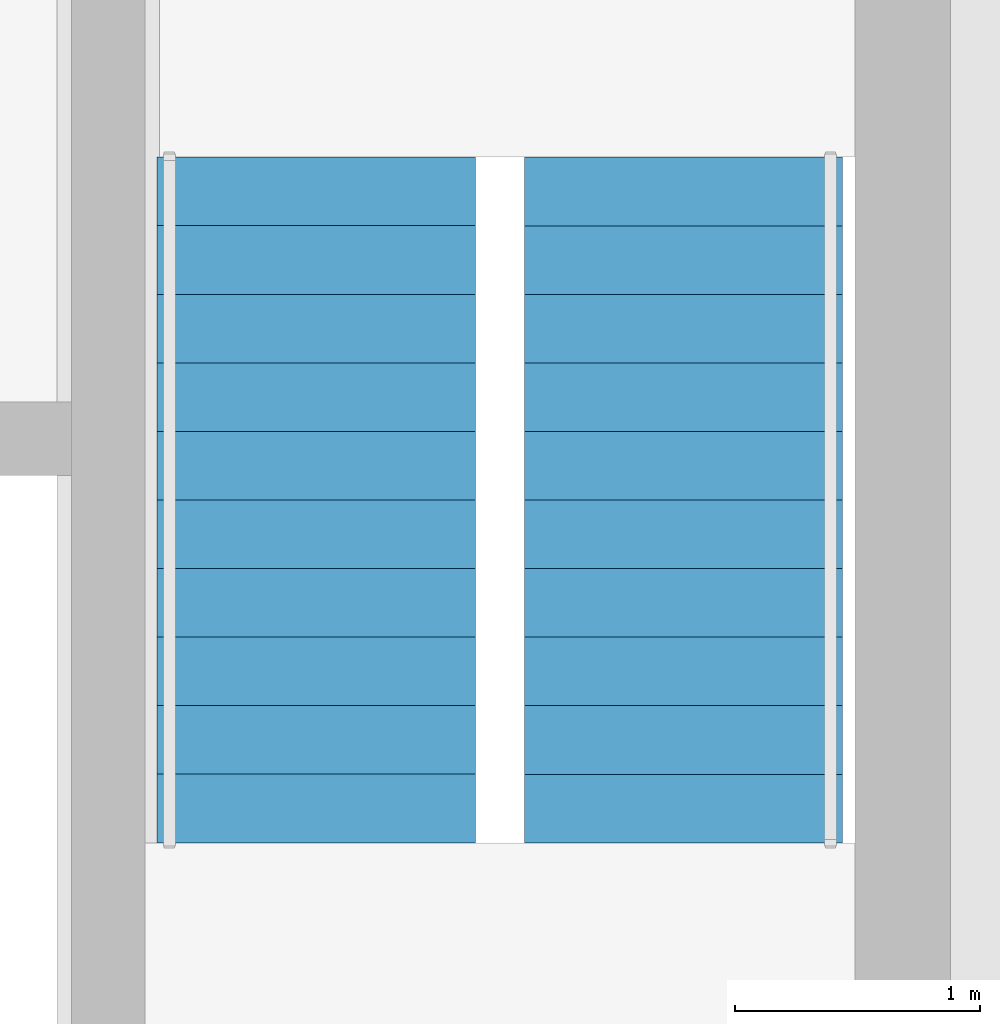
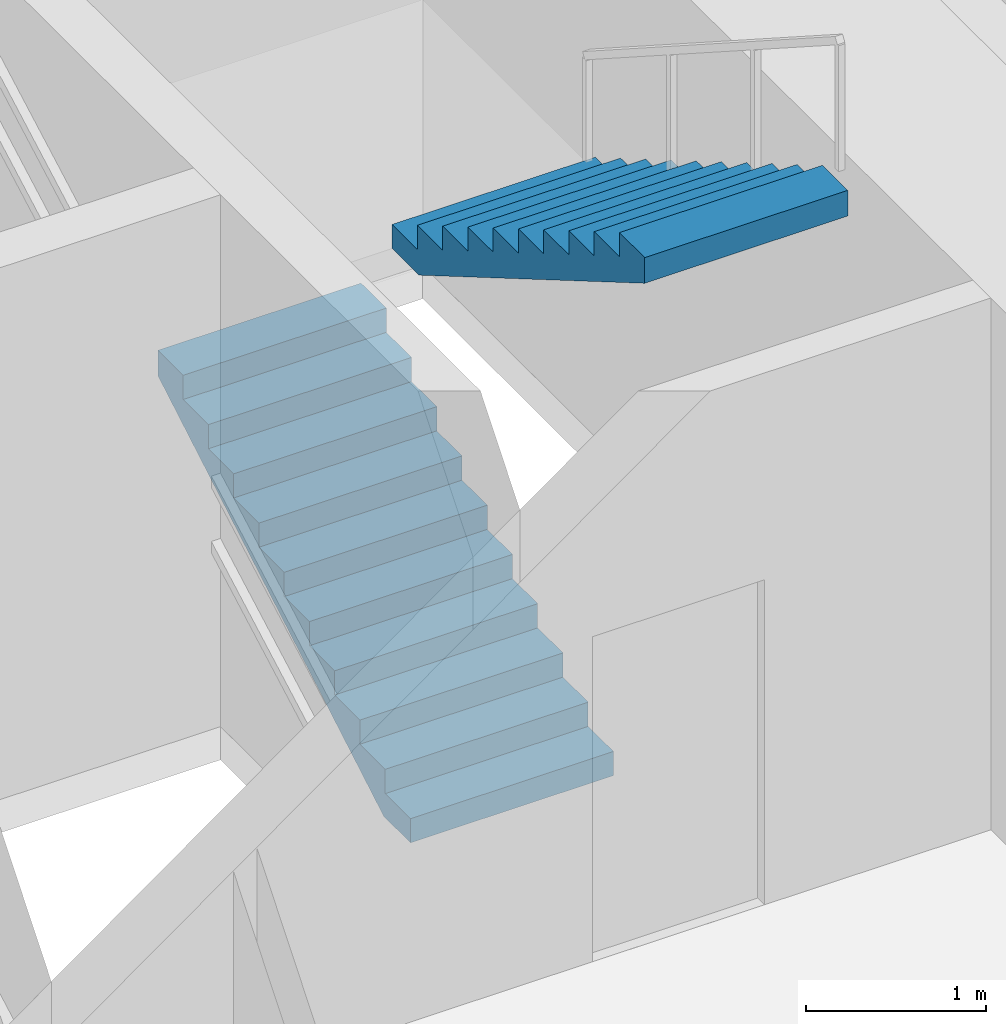
# One storey, part 12 of 13: 2 stair flights, 1 element without a shape of its own.
"""IFC4 building model written with IfcOpenShell, lengths in metres."""

import ifcopenshell
import ifcopenshell.guid

model = None  # the IFC model being written
_history = None  # IfcOwnerHistory: only IFC2X3 demands one
_inside = {}  # id of a spatial element -> (the spatial element, [elements in it])
_under = {}  # id of a project, library or spatial element -> (it, [spatial elements below it])
_declared = {}  # id of a project -> (the project, [libraries it declares])
_typed = {}  # id of a type object -> (the type object, [elements of that type])
_made_of = {}  # id of a material, layer set ... -> (it, [elements and type objects made of it])


def new_model(schema):
    """Start an empty IFC model of exactly this schema.

    Asked for "IFC4X3", IfcOpenShell would pick the latest addendum, in which some entities
    have other attributes; the version numbers below select the first issue.
    IFC2X3 requires an IfcOwnerHistory on every rooted entity: one is made here for all.
    """
    global model, _history
    if schema == "IFC4X3":
        model = ifcopenshell.file(schema_version=(4, 3, 0, 0))
    else:
        model = ifcopenshell.file(schema=schema)
    _inside.clear()
    _under.clear()
    _declared.clear()
    _typed.clear()
    _made_of.clear()
    _history = None
    if model.schema == "IFC2X3":
        org = make("IfcOrganization", Name="unknown")
        user = make(
            "IfcPersonAndOrganization",
            ThePerson=make("IfcPerson", FamilyName="unknown"),
            TheOrganization=org,
        )
        app = make(
            "IfcApplication",
            ApplicationDeveloper=org,
            Version="unknown",
            ApplicationFullName="unknown",
            ApplicationIdentifier="unknown",
        )
        _history = make(
            "IfcOwnerHistory",
            OwningUser=user,
            OwningApplication=app,
            ChangeAction="ADDED",
            CreationDate=0,
        )
    return model


def make(cls, **values):
    """One entity of the class cls with the attributes given. An attribute that is None is left unset."""
    return model.create_entity(
        cls, **{name: value for name, value in values.items() if value is not None}
    )


def rooted(cls, **values):
    """An entity with a GlobalId (a new one), such as an element, a storey or a relation."""
    return make(cls, GlobalId=ifcopenshell.guid.new(), OwnerHistory=_history, **values)


def si_unit(unit_type, name, prefix=None):
    """IfcSIUnit, for example si_unit("LENGTHUNIT", "METRE", prefix="MILLI")."""
    return make("IfcSIUnit", UnitType=unit_type, Prefix=prefix, Name=name)


def assignment(units):
    """IfcUnitAssignment: the units of a project."""
    return None if units is None else make("IfcUnitAssignment", Units=units)


def point(xyz):
    """IfcCartesianPoint."""
    return None if xyz is None else make("IfcCartesianPoint", Coordinates=xyz)


def direction(xyz):
    """IfcDirection."""
    return None if xyz is None else make("IfcDirection", DirectionRatios=xyz)


def frame(location, z_axis=None, x_axis=None):
    """IfcAxis2Placement3D, a coordinate frame: its origin and axes. An axis left out is left unset."""
    return make(
        "IfcAxis2Placement3D",
        Location=point(location),
        Axis=direction(z_axis),
        RefDirection=direction(x_axis),
    )


def origin():
    """The frame at (0, 0, 0) with its axes left unset."""
    return frame((0.0, 0.0, 0.0))


def place(relative_to, where):
    """IfcLocalPlacement: puts the frame where relative to a parent placement (None: the world)."""
    return make(
        "IfcLocalPlacement", PlacementRelTo=relative_to, RelativePlacement=where
    )


def context(
    kind, dimensions, precision=None, world=None, true_north=None, identifier=None
):
    """IfcGeometricRepresentationContext, for example the 3D "Model" context."""
    return make(
        "IfcGeometricRepresentationContext",
        ContextIdentifier=identifier,
        ContextType=kind,
        CoordinateSpaceDimension=dimensions,
        Precision=precision,
        WorldCoordinateSystem=world,
        TrueNorth=true_north,
    )


def subcontext(parent, identifier, kind, view, scale=None):
    """IfcGeometricRepresentationSubContext, for example "Body" below "Model"."""
    return make(
        "IfcGeometricRepresentationSubContext",
        ContextIdentifier=identifier,
        ContextType=kind,
        ParentContext=parent,
        TargetScale=scale,
        TargetView=view,
    )


def project(units=None, contexts=None):
    """IfcProject with its units and contexts."""
    return rooted(
        "IfcProject",
        Name="project",
        RepresentationContexts=contexts,
        UnitsInContext=assignment(units),
    )


def spatial(cls, under=None, at=None, **own):
    """A site, building, storey or space (cls), placed at a placement, below another one or the project."""
    s = rooted(cls, ObjectPlacement=at, **own)
    if under is not None:
        _under.setdefault(under.id(), (under, []))[1].append(s)
    return s


def polyline(points):
    """IfcPolyline through the points."""
    return make("IfcPolyline", Points=[point(p) for p in points])


def outline(outer, holes=None, kind="AREA"):
    """IfcArbitraryClosedProfileDef: a profile drawn as a closed curve; with holes, ...WithVoids."""
    if holes is None:
        return make("IfcArbitraryClosedProfileDef", ProfileType=kind, OuterCurve=outer)
    return make(
        "IfcArbitraryProfileDefWithVoids",
        ProfileType=kind,
        OuterCurve=outer,
        InnerCurves=holes,
    )


def extrude(swept, where, along, depth):
    """IfcExtrudedAreaSolid: the profile swept, set in the frame where, extruded along a direction by depth."""
    return make(
        "IfcExtrudedAreaSolid",
        SweptArea=swept,
        Position=where,
        ExtrudedDirection=direction(along),
        Depth=depth,
    )


def shape(context_of_items, identifier, shape_type, items):
    """IfcShapeRepresentation: the items that make up one representation, for example the "Body"."""
    return make(
        "IfcShapeRepresentation",
        ContextOfItems=context_of_items,
        RepresentationIdentifier=identifier,
        RepresentationType=shape_type,
        Items=items,
    )


def material(Name=None, Category=None):
    """IfcMaterial."""
    return make("IfcMaterial", Name=Name, Category=Category)


def made_of(thing, what):
    """Note that an element or type object is made of a material, layer set ...; save() writes the relation."""
    if what is not None:
        _made_of.setdefault(what.id(), (what, []))[1].append(thing)
    return thing


def type_object(cls, material=None, **own):
    """A type object (cls), such as IfcWallType, which elements share."""
    return made_of(rooted(cls, **own), material)


def element(
    cls,
    number,
    at=None,
    inside=None,
    cuts=None,
    type_object=None,
    material=None,
    context=None,
    identifier="Body",
    shape_type=None,
    held_by="IfcProductDefinitionShape",
    body=None,
    shapes=None,
    **own,
):
    """One element of the class cls, such as IfcWall. Its Tag is "e" and its number.

    at: its placement. inside: the storey or other place that contains it. cuts: it is an
    opening in that element (IfcRelVoidsElement). A single representation is given by context,
    identifier, shape_type and body (its items); several are given by shapes. held_by: the class
    of the entity that holds the representations. save() writes the other relations.
    """
    e = rooted(cls, Tag="e%d" % number, ObjectPlacement=at, **own)
    if body is not None:
        shapes = [shape(context, identifier, shape_type, body)]
    if shapes is not None:
        e.Representation = make(held_by, Representations=shapes)
    if inside is not None:
        _inside.setdefault(inside.id(), (inside, []))[1].append(e)
    if cuts is not None:
        rooted(
            "IfcRelVoidsElement", RelatingBuildingElement=cuts, RelatedOpeningElement=e
        )
    if type_object is not None:
        _typed.setdefault(type_object.id(), (type_object, []))[1].append(e)
    return made_of(e, material)


def aggregate(whole, parts):
    """IfcRelAggregates: a whole, such as a stair, and the parts it consists of."""
    return rooted("IfcRelAggregates", RelatingObject=whole, RelatedObjects=parts)


def save(model, path):
    """Write the relations noted so far, then the file.

    IfcRelAggregates (storeys below a building ...), IfcRelContainedInSpatialStructure (elements
    in a storey), IfcRelDefinesByType, IfcRelAssociatesMaterial and IfcRelDeclares: one each for
    every whole, place, type object, material and project.
    """
    for whole, parts in _under.values():
        aggregate(whole, parts)
    for where, things in _inside.values():
        rooted(
            "IfcRelContainedInSpatialStructure",
            RelatedElements=things,
            RelatingStructure=where,
        )
    for kind, things in _typed.values():
        rooted("IfcRelDefinesByType", RelatedObjects=things, RelatingType=kind)
    for what, things in _made_of.values():
        rooted("IfcRelAssociatesMaterial", RelatedObjects=things, RelatingMaterial=what)
    for by, libraries in _declared.values():
        rooted("IfcRelDeclares", RelatingContext=by, RelatedDefinitions=libraries)
    model.write(path)


model = new_model("IFC4")

# Units and contexts
model_context = context("Model", 3, precision=1e-05, world=origin(), true_north=direction((0.0, 1.0)))
body_context = subcontext(model_context, "Body", "Model", "MODEL_VIEW")
ifc_project = project(units=[si_unit("LENGTHUNIT", "METRE"), si_unit("AREAUNIT", "SQUARE_METRE"), si_unit("VOLUMEUNIT", "CUBIC_METRE"), si_unit("PLANEANGLEUNIT", "RADIAN"), si_unit("MASSUNIT", "GRAM", prefix="KILO")], contexts=[model_context])

# Site, building, storey
site_placement = place(None, origin())
site = spatial("IfcSite", under=ifc_project, at=site_placement, CompositionType="ELEMENT")
building_placement = place(site_placement, origin())
building = spatial("IfcBuilding", under=site, at=building_placement, Name="Nyansa Garden Tower", CompositionType="ELEMENT")
storey_placement = place(building_placement, frame((0.0, 0.0, 123.300048828125)))
storey = spatial("IfcBuildingStorey", under=building, at=storey_placement, Name="L33", CompositionType="ELEMENT", Elevation=123.300048828125)

# Stair, stair flights
ifc_material_1 = material(Name="Precast concrete C40/50", Category="concrete")
stair_type = type_object("IfcStairType", Name="Stair S2 164x280", PredefinedType="HALF_TURN_STAIR", material=ifc_material_1)
stair_placement = place(storey_placement, origin())
stair = element("IfcStair", 1, at=stair_placement, inside=storey, type_object=stair_type, Name="Stair S2 L33", PredefinedType="HALF_TURN_STAIR")
ifc_material_2 = material(Name="Precast concrete C40/50", Category="concrete")
stair_flight_type = type_object("IfcStairFlightType", Name="Stair flight S2 164x280x11", PredefinedType="STRAIGHT", material=ifc_material_2)
stair_flight_1_placement = place(storey_placement, frame((24.199951171875, 21.60009765625, 0.0), z_axis=(0.0, 0.0, 1.0), x_axis=(0.0, 1.0, 0.0)))
stair_flight_1 = element("IfcStairFlight", 2, at=stair_flight_1_placement, type_object=stair_flight_type, Name="S2 flight 1", NumberOfRisers=11, NumberOfTreads=10, PredefinedType="STRAIGHT", RiserHeight=0.163636364, TreadLength=0.28, context=body_context, shape_type="SweptSolid", body=[
    extrude(outline(polyline([(0.0, 0.0), (0.0, 0.16357421875), (0.280029296875, 0.16357421875), (0.280029296875, 0.327392578125), (0.56005859375, 0.327392578125), (0.56005859375, 0.490966796875), (0.840087890625, 0.490966796875), (0.840087890625, 0.654541015625), (1.1201171875, 0.654541015625), (1.1201171875, 0.818115234375), (1.39990234375, 0.818115234375), (1.39990234375, 0.98193359375), (1.679931640625, 0.98193359375), (1.679931640625, 1.1455078125), (1.9599609375, 1.1455078125), (1.9599609375, 1.30908203125), (2.239990234375, 1.30908203125), (2.239990234375, 1.47265625), (2.52001953125, 1.47265625), (2.52001953125, 1.636474609375), (2.800048828125, 1.636474609375), (2.800048828125, 1.800048828125), (2.800048828125, 1.462646484375), (0.297119140625, 0.0), (0.0, 0.0)])), frame((0.0, 0.64990234375, 0.0), z_axis=(0.0, -1.0, 0.0), x_axis=(1.0, 0.0, 0.0)), (0.0, 0.0, 1.0), 1.300048828125),
])
stair_flight_2_placement = place(storey_placement, frame((25.699951171875, 24.39990234375, 1.800048828125), z_axis=(0.0, 0.0, 1.0), x_axis=(0.0, -1.0, 0.0)))
stair_flight_2 = element("IfcStairFlight", 3, at=stair_flight_2_placement, type_object=stair_flight_type, Name="S2 flight 2", NumberOfRisers=11, NumberOfTreads=10, PredefinedType="STRAIGHT", RiserHeight=0.163636364, TreadLength=0.28, context=body_context, shape_type="SweptSolid", body=[
    extrude(outline(polyline([(0.0, 0.0), (0.0, 0.16357421875), (0.280029296875, 0.16357421875), (0.280029296875, 0.327392578125), (0.56005859375, 0.327392578125), (0.56005859375, 0.490966796875), (0.840087890625, 0.490966796875), (0.840087890625, 0.654541015625), (1.1201171875, 0.654541015625), (1.1201171875, 0.818115234375), (1.39990234375, 0.818115234375), (1.39990234375, 0.98193359375), (1.679931640625, 0.98193359375), (1.679931640625, 1.1455078125), (1.9599609375, 1.1455078125), (1.9599609375, 1.30908203125), (2.239990234375, 1.30908203125), (2.239990234375, 1.47265625), (2.52001953125, 1.47265625), (2.52001953125, 1.636474609375), (2.800048828125, 1.636474609375), (2.800048828125, 1.800048828125), (2.800048828125, 1.462646484375), (0.297119140625, 0.0), (0.0, 0.0)])), frame((0.0, 0.64990234375, 0.0), z_axis=(0.0, -1.0, 0.0), x_axis=(1.0, 0.0, 0.0)), (0.0, 0.0, 1.0), 1.300048828125),
])
aggregate(stair, [stair_flight_1, stair_flight_2])

save(model, "model.ifc")
